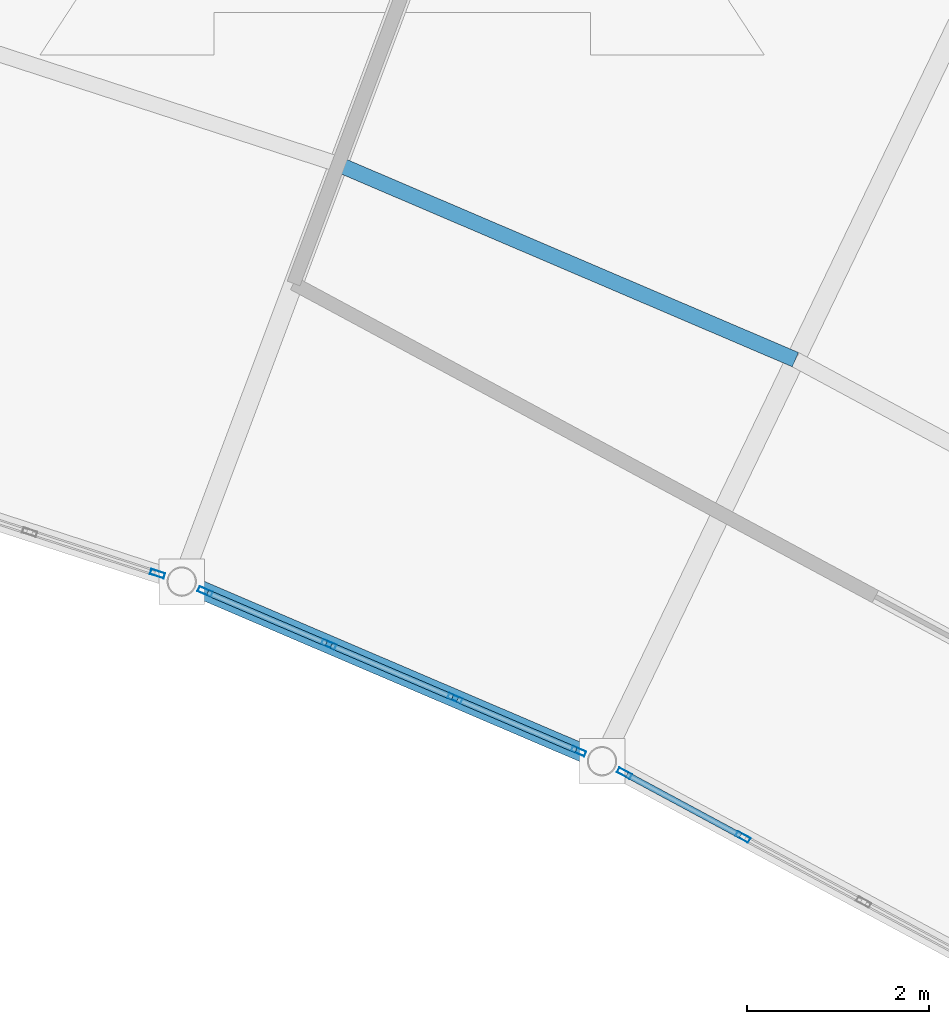
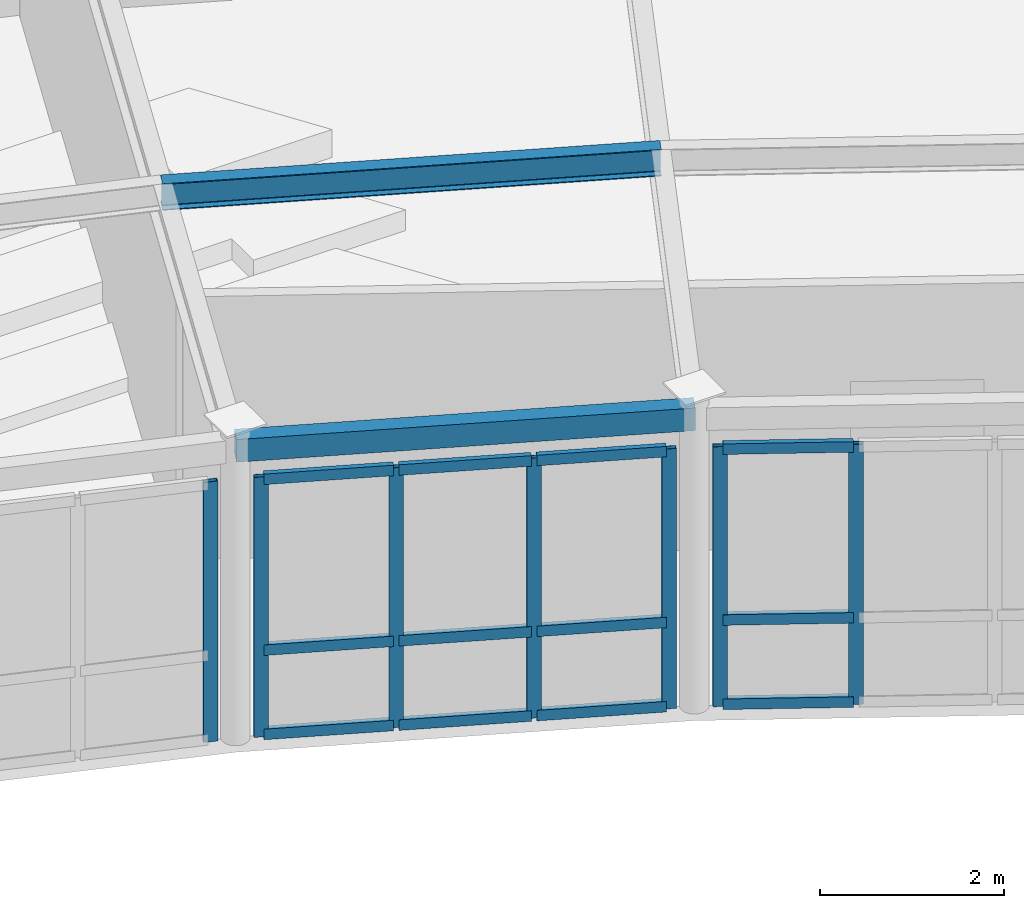
# One storey, part 27 of 54: 19 members, 2 beams, 3 elements without a shape of their own.
"""IFC4 building model written with IfcOpenShell, lengths in metres."""

from ifc_helpers import new_model, si_unit, direction, frame, origin, origin_2d, place, context, subcontext, project, spatial, hollow_rectangle, i_section, extrude, material, layer, layer_set, material_profile, profile_set, type_object, element, aggregate, save


model = new_model("IFC4")

# Units and contexts
model_context = context("Model", 3, precision=1e-05, world=origin(), true_north=direction((0.0, 1.0)))
body_context = subcontext(model_context, "Body", "Model", "MODEL_VIEW")
ifc_project = project(units=[si_unit("LENGTHUNIT", "METRE"), si_unit("AREAUNIT", "SQUARE_METRE"), si_unit("VOLUMEUNIT", "CUBIC_METRE"), si_unit("PLANEANGLEUNIT", "RADIAN"), si_unit("MASSUNIT", "GRAM", prefix="KILO")], contexts=[model_context])

# Site, building, storey
site_placement = place(None, origin())
site = spatial("IfcSite", under=ifc_project, at=site_placement, CompositionType="ELEMENT")
building_placement = place(site_placement, origin())
building = spatial("IfcBuilding", under=site, at=building_placement, Name="Selat Folded Stagehouse", CompositionType="ELEMENT")
storey_placement = place(building_placement, frame((0.0, 0.0, 15.0)))
storey = spatial("IfcBuildingStorey", under=building, at=storey_placement, Name="L03", CompositionType="ELEMENT", Elevation=15.0)

# Curtain wall, member
ifc_material_1 = material(Name="Aluminium 6063-T6", Category="aluminium")
ifc_layer = layer(ifc_material_1, 0.18994140625)
ifc_layer_set = layer_set([ifc_layer], Name="Aluminium 6063-T6")
curtain_wall_type = type_object("IfcCurtainWallType", Name="CW-REH-ARC", PredefinedType="NOTDEFINED", material=ifc_layer_set)
curtain_wall_1_placement = place(storey_placement, origin())
curtain_wall_1 = element("IfcCurtainWall", 1, at=curtain_wall_1_placement, inside=storey, type_object=curtain_wall_type, Name="L03 curtain wall CW-REH-L03-10", PredefinedType="NOTDEFINED")
ifc_material_profile_1 = material_profile(ifc_material_1, hollow_rectangle(XDim=0.06005859375, YDim=0.159912109375, WallThickness=0.00390625, at=origin_2d()), Name="ALU 160x60x4.0")
ifc_profile_set_1 = profile_set([ifc_material_profile_1], Name="Aluminium 6063-T6")
member_type_1 = type_object("IfcMemberType", Name="CWM-MUL-160x60", PredefinedType="MULLION", material=ifc_profile_set_1)
member_1_placement = place(storey_placement, frame((111.810546875, 90.515869140625, 0.0), z_axis=(0.0, 0.0, 1.0), x_axis=(-0.308991620714, -0.951064760323, 0.0)))
member_1 = element("IfcMember", 2, at=member_1_placement, type_object=member_type_1, Name="CW-06 mullion 1", PredefinedType="MULLION", context=body_context, shape_type="SweptSolid", body=[
    extrude(hollow_rectangle(XDim=0.06005859375, YDim=0.159912109375, WallThickness=0.00390625, at=origin_2d()), origin(), (0.0, 0.0, 1.0), 3.449951171875),
])
aggregate(curtain_wall_1, [member_1])

# Curtain wall, members
curtain_wall_2_placement = place(storey_placement, origin())
curtain_wall_2 = element("IfcCurtainWall", 3, at=curtain_wall_2_placement, inside=storey, type_object=curtain_wall_type, Name="L03 curtain wall CW-REH-L03-11", PredefinedType="NOTDEFINED")
member_2_placement = place(storey_placement, frame((116.43994140625, 88.564453125, 0.0), z_axis=(0.0, 0.0, 1.0), x_axis=(-0.393012226483, -0.919533245639, 0.0)))
member_2 = element("IfcMember", 4, at=member_2_placement, type_object=member_type_1, Name="CW-06 mullion 1", PredefinedType="MULLION", context=body_context, shape_type="SweptSolid", body=[
    extrude(hollow_rectangle(XDim=0.06005859375, YDim=0.159912109375, WallThickness=0.00390625, at=origin_2d()), origin(), (0.0, 0.0, 1.0), 3.449951171875),
])
member_3_placement = place(storey_placement, frame((115.080810546875, 89.145263671875, 0.0), z_axis=(0.0, 0.0, 1.0), x_axis=(-0.393012226483, -0.919533245639, 0.0)))
member_3 = element("IfcMember", 5, at=member_3_placement, type_object=member_type_1, Name="CW-06 mullion 2", PredefinedType="MULLION", context=body_context, shape_type="SweptSolid", body=[
    extrude(hollow_rectangle(XDim=0.06005859375, YDim=0.159912109375, WallThickness=0.00390625, at=origin_2d()), origin(), (0.0, 0.0, 1.0), 3.449951171875),
])
member_4_placement = place(storey_placement, frame((113.69384765625, 89.738037109375, 0.0), z_axis=(0.0, 0.0, 1.0), x_axis=(-0.393012226483, -0.919533245639, 0.0)))
member_4 = element("IfcMember", 6, at=member_4_placement, type_object=member_type_1, Name="CW-06 mullion 3", PredefinedType="MULLION", context=body_context, shape_type="SweptSolid", body=[
    extrude(hollow_rectangle(XDim=0.06005859375, YDim=0.159912109375, WallThickness=0.00390625, at=origin_2d()), origin(), (0.0, 0.0, 1.0), 3.449951171875),
])
member_5_placement = place(storey_placement, frame((112.33447265625, 90.319091796875, 0.0), z_axis=(0.0, 0.0, 1.0), x_axis=(-0.393012226483, -0.919533245639, 0.0)))
member_5 = element("IfcMember", 7, at=member_5_placement, type_object=member_type_1, Name="CW-06 mullion 4", PredefinedType="MULLION", context=body_context, shape_type="SweptSolid", body=[
    extrude(hollow_rectangle(XDim=0.06005859375, YDim=0.159912109375, WallThickness=0.00390625, at=origin_2d()), origin(), (0.0, 0.0, 1.0), 3.449951171875),
])

curtain_wall_3_placement = place(storey_placement, origin())
curtain_wall_3 = element("IfcCurtainWall", 8, at=curtain_wall_3_placement, inside=storey, type_object=curtain_wall_type, Name="L03 curtain wall CW-REH-L03-12", PredefinedType="NOTDEFINED")
member_6_placement = place(storey_placement, frame((118.245849609375, 87.62109375, 0.0), z_axis=(0.0, 0.0, 1.0), x_axis=(-0.473858636259, -0.880600927119, 0.0)))
member_6 = element("IfcMember", 9, at=member_6_placement, type_object=member_type_1, Name="CW-06 mullion 3", PredefinedType="MULLION", context=body_context, shape_type="SweptSolid", body=[
    extrude(hollow_rectangle(XDim=0.06005859375, YDim=0.159912109375, WallThickness=0.00390625, at=origin_2d()), origin(), (0.0, 0.0, 1.0), 3.449951171875),
])
member_7_placement = place(storey_placement, frame((116.944091796875, 88.321533203125, 0.0), z_axis=(0.0, 0.0, 1.0), x_axis=(-0.473858636259, -0.880600927119, 0.0)))
member_7 = element("IfcMember", 10, at=member_7_placement, type_object=member_type_1, Name="CW-06 mullion 4", PredefinedType="MULLION", context=body_context, shape_type="SweptSolid", body=[
    extrude(hollow_rectangle(XDim=0.06005859375, YDim=0.159912109375, WallThickness=0.00390625, at=origin_2d()), origin(), (0.0, 0.0, 1.0), 3.449951171875),
])

# Member
ifc_material_profile_2 = material_profile(ifc_material_1, hollow_rectangle(XDim=0.06494140625, YDim=0.139892578125, WallThickness=0.00390625, at=origin_2d()), Name="ALU 140x65x4.0")
ifc_profile_set_2 = profile_set([ifc_material_profile_2], Name="Aluminium 6063-T6")
member_type_2 = type_object("IfcMemberType", Name="CWM-TRN-140x65", PredefinedType="USERDEFINED", material=ifc_profile_set_2)
member_8_placement = place(storey_placement, frame((116.412353515625, 88.576171875, 0.032470703125), z_axis=(-0.919518623397, 0.393046436475, 0.0), x_axis=(-0.393046436475, -0.919518623397, 0.0)))
member_8 = element("IfcMember", 11, at=member_8_placement, type_object=member_type_2, Name="CW-06 transom 1.1", ObjectType="TRANSOM", PredefinedType="USERDEFINED", context=body_context, shape_type="SweptSolid", body=[
    extrude(hollow_rectangle(XDim=0.06494140625, YDim=0.139892578125, WallThickness=0.00390625, at=origin_2d()), origin(), (0.0, 0.0, 1.0), 1.41796875),
])

member_9_placement = place(storey_placement, frame((116.412353515625, 88.576171875, 1.14990234375), z_axis=(-0.919518623397, 0.393046436475, 0.0), x_axis=(-0.393046436475, -0.919518623397, 0.0)))
member_9 = element("IfcMember", 12, at=member_9_placement, type_object=member_type_2, Name="CW-06 transom 1.2", ObjectType="TRANSOM", PredefinedType="USERDEFINED", context=body_context, shape_type="SweptSolid", body=[
    extrude(hollow_rectangle(XDim=0.06494140625, YDim=0.139892578125, WallThickness=0.00390625, at=origin_2d()), origin(), (0.0, 0.0, 1.0), 1.41796875),
])

member_10_placement = place(storey_placement, frame((116.412353515625, 88.576171875, 3.41748046875), z_axis=(-0.919518623397, 0.393046436475, 0.0), x_axis=(-0.393046436475, -0.919518623397, 0.0)))
member_10 = element("IfcMember", 13, at=member_10_placement, type_object=member_type_2, Name="CW-06 transom 1.3", ObjectType="TRANSOM", PredefinedType="USERDEFINED", context=body_context, shape_type="SweptSolid", body=[
    extrude(hollow_rectangle(XDim=0.06494140625, YDim=0.139892578125, WallThickness=0.00390625, at=origin_2d()), origin(), (0.0, 0.0, 1.0), 1.41796875),
])

member_11_placement = place(storey_placement, frame((115.05322265625, 89.1572265625, 0.032470703125), z_axis=(-0.919563036089, 0.392942518263, 0.0), x_axis=(-0.392942518263, -0.919563036089, 0.0)))
member_11 = element("IfcMember", 14, at=member_11_placement, type_object=member_type_2, Name="CW-06 transom 2.1", ObjectType="TRANSOM", PredefinedType="USERDEFINED", context=body_context, shape_type="SweptSolid", body=[
    extrude(hollow_rectangle(XDim=0.06494140625, YDim=0.139892578125, WallThickness=0.00390625, at=origin_2d()), origin(), (0.0, 0.0, 1.0), 1.4482421875),
])

member_12_placement = place(storey_placement, frame((115.05322265625, 89.1572265625, 1.14990234375), z_axis=(-0.919563036089, 0.392942518263, 0.0), x_axis=(-0.392942518263, -0.919563036089, 0.0)))
member_12 = element("IfcMember", 15, at=member_12_placement, type_object=member_type_2, Name="CW-06 transom 2.2", ObjectType="TRANSOM", PredefinedType="USERDEFINED", context=body_context, shape_type="SweptSolid", body=[
    extrude(hollow_rectangle(XDim=0.06494140625, YDim=0.139892578125, WallThickness=0.00390625, at=origin_2d()), origin(), (0.0, 0.0, 1.0), 1.4482421875),
])

member_13_placement = place(storey_placement, frame((115.05322265625, 89.1572265625, 3.41748046875), z_axis=(-0.919563036089, 0.392942518263, 0.0), x_axis=(-0.392942518263, -0.919563036089, 0.0)))
member_13 = element("IfcMember", 16, at=member_13_placement, type_object=member_type_2, Name="CW-06 transom 2.3", ObjectType="TRANSOM", PredefinedType="USERDEFINED", context=body_context, shape_type="SweptSolid", body=[
    extrude(hollow_rectangle(XDim=0.06494140625, YDim=0.139892578125, WallThickness=0.00390625, at=origin_2d()), origin(), (0.0, 0.0, 1.0), 1.4482421875),
])

member_14_placement = place(storey_placement, frame((113.666259765625, 89.75, 0.032470703125), z_axis=(-0.919545213655, 0.392984223657, 0.0), x_axis=(-0.392984223657, -0.919545213655, 0.0)))
member_14 = element("IfcMember", 17, at=member_14_placement, type_object=member_type_2, Name="CW-06 transom 3.1", ObjectType="TRANSOM", PredefinedType="USERDEFINED", context=body_context, shape_type="SweptSolid", body=[
    extrude(hollow_rectangle(XDim=0.06494140625, YDim=0.139892578125, WallThickness=0.00390625, at=origin_2d()), origin(), (0.0, 0.0, 1.0), 1.418212890625),
])

member_15_placement = place(storey_placement, frame((113.666259765625, 89.75, 1.14990234375), z_axis=(-0.919545213655, 0.392984223657, 0.0), x_axis=(-0.392984223657, -0.919545213655, 0.0)))
member_15 = element("IfcMember", 18, at=member_15_placement, type_object=member_type_2, Name="CW-06 transom 3.2", ObjectType="TRANSOM", PredefinedType="USERDEFINED", context=body_context, shape_type="SweptSolid", body=[
    extrude(hollow_rectangle(XDim=0.06494140625, YDim=0.139892578125, WallThickness=0.00390625, at=origin_2d()), origin(), (0.0, 0.0, 1.0), 1.418212890625),
])

member_16_placement = place(storey_placement, frame((113.666259765625, 89.75, 3.41748046875), z_axis=(-0.919545213655, 0.392984223657, 0.0), x_axis=(-0.392984223657, -0.919545213655, 0.0)))
member_16 = element("IfcMember", 19, at=member_16_placement, type_object=member_type_2, Name="CW-06 transom 3.3", ObjectType="TRANSOM", PredefinedType="USERDEFINED", context=body_context, shape_type="SweptSolid", body=[
    extrude(hollow_rectangle(XDim=0.06494140625, YDim=0.139892578125, WallThickness=0.00390625, at=origin_2d()), origin(), (0.0, 0.0, 1.0), 1.418212890625),
])

aggregate(curtain_wall_2, [member_2, member_3, member_4, member_5, member_8, member_9, member_10, member_11, member_12, member_13, member_14, member_15, member_16])

member_17_placement = place(storey_placement, frame((118.219482421875, 87.63525390625, 0.032470703125), z_axis=(-0.880598189077, 0.473863724497, 0.0), x_axis=(-0.473863724497, -0.880598189077, 0.0)))
member_17 = element("IfcMember", 20, at=member_17_placement, type_object=member_type_2, Name="CW-06 transom 3.1", ObjectType="TRANSOM", PredefinedType="USERDEFINED", context=body_context, shape_type="SweptSolid", body=[
    extrude(hollow_rectangle(XDim=0.06494140625, YDim=0.139892578125, WallThickness=0.00390625, at=origin_2d()), origin(), (0.0, 0.0, 1.0), 1.41845703125),
])

member_18_placement = place(storey_placement, frame((118.219482421875, 87.63525390625, 1.14990234375), z_axis=(-0.880598189077, 0.473863724497, 0.0), x_axis=(-0.473863724497, -0.880598189077, 0.0)))
member_18 = element("IfcMember", 21, at=member_18_placement, type_object=member_type_2, Name="CW-06 transom 3.2", ObjectType="TRANSOM", PredefinedType="USERDEFINED", context=body_context, shape_type="SweptSolid", body=[
    extrude(hollow_rectangle(XDim=0.06494140625, YDim=0.139892578125, WallThickness=0.00390625, at=origin_2d()), origin(), (0.0, 0.0, 1.0), 1.41845703125),
])

member_19_placement = place(storey_placement, frame((118.219482421875, 87.63525390625, 3.41748046875), z_axis=(-0.880598189077, 0.473863724497, 0.0), x_axis=(-0.473863724497, -0.880598189077, 0.0)))
member_19 = element("IfcMember", 22, at=member_19_placement, type_object=member_type_2, Name="CW-06 transom 3.3", ObjectType="TRANSOM", PredefinedType="USERDEFINED", context=body_context, shape_type="SweptSolid", body=[
    extrude(hollow_rectangle(XDim=0.06494140625, YDim=0.139892578125, WallThickness=0.00390625, at=origin_2d()), origin(), (0.0, 0.0, 1.0), 1.41845703125),
])

aggregate(curtain_wall_3, [member_6, member_7, member_17, member_18, member_19])

# Beams
ifc_material_2 = material(Name="Steel S355", Category="steel")
ifc_material_profile_3 = material_profile(ifc_material_2, i_section(OverallWidth=0.17138671875, OverallDepth=0.35498046875, WebThickness=0.00732421875, FlangeThickness=0.011474609375, FilletRadius=0.01025390625, at=origin_2d()), Name="UKB 356x171x51")
ifc_profile_set_3 = profile_set([ifc_material_profile_3], Name="Steel S355")
beam_type_1 = type_object("IfcBeamType", Name="JST-356x171x51", PredefinedType="JOIST", material=ifc_profile_set_3)
beam_1_placement = place(storey_placement, frame((113.798583984375, 95.0166015625, 3.840576171875), z_axis=(0.919530500952, -0.393018648182, 0.0), x_axis=(0.393018648182, 0.919530500952, 0.0)))
element("IfcBeam", 23, at=beam_1_placement, inside=storey, type_object=beam_type_1, Name="L03 curved rehearsal secondary joist 12.1", PredefinedType="JOIST", context=body_context, shape_type="SweptSolid", body=[
    extrude(i_section(OverallWidth=0.17138671875, OverallDepth=0.35498046875, WebThickness=0.00732421875, FlangeThickness=0.011474609375, FilletRadius=0.01025390625, at=origin_2d()), origin(), (0.0, 0.0, 1.0), 5.464599609375),
])
ifc_material_profile_4 = material_profile(ifc_material_2, hollow_rectangle(XDim=0.199951171875, YDim=0.300048828125, WallThickness=0.012451171875, at=origin_2d()), Name="RHS 300x200x12.5")
ifc_profile_set_4 = profile_set([ifc_material_profile_4], Name="Steel S355")
beam_type_2 = type_object("IfcBeamType", Name="SPD-RHS-300x200", PredefinedType="SPANDREL", material=ifc_profile_set_4)
beam_2_placement = place(storey_placement, frame((112.076904296875, 90.42919921875, 3.867919921875), z_axis=(0.919534104414, -0.393010217194, 0.0), x_axis=(0.393010217194, 0.919534104414, 0.0)))
element("IfcBeam", 24, at=beam_2_placement, inside=storey, type_object=beam_type_2, Name="L03 inner curved rehearsal spandrel 12", PredefinedType="SPANDREL", context=body_context, shape_type="SweptSolid", body=[
    extrude(hollow_rectangle(XDim=0.199951171875, YDim=0.300048828125, WallThickness=0.012451171875, at=origin_2d()), origin(), (0.0, 0.0, 1.0), 5.02490234375),
])

save(model, "model.ifc")
